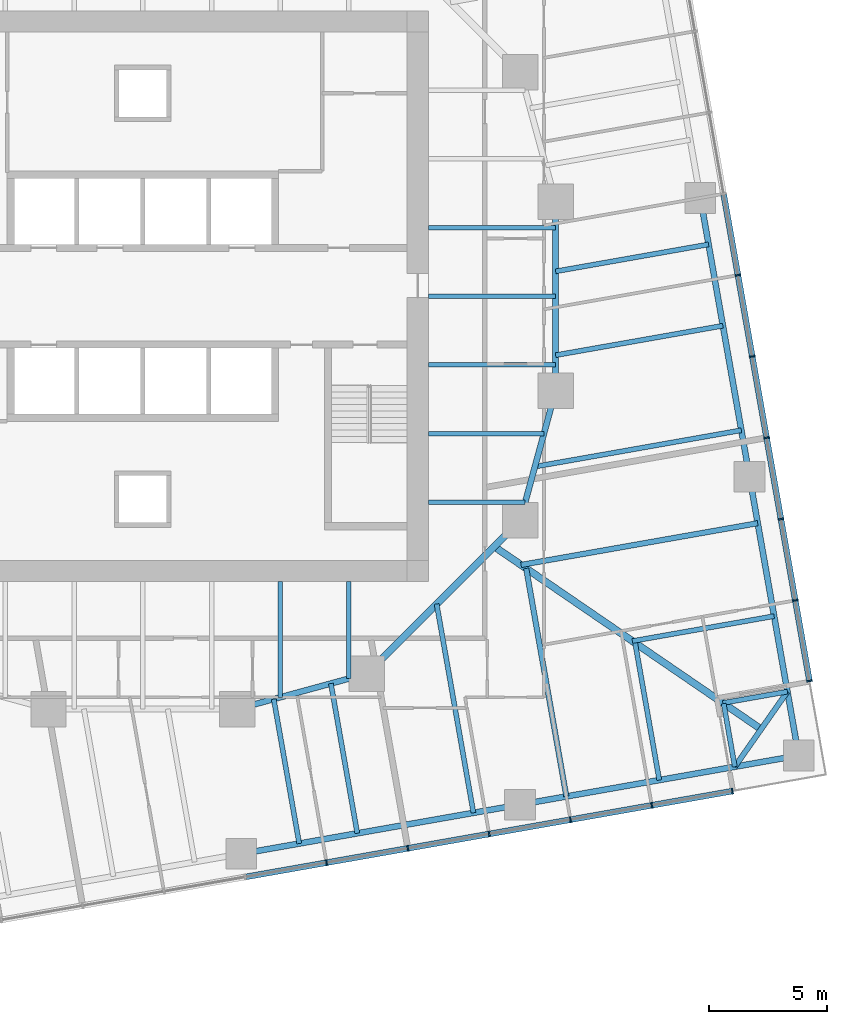
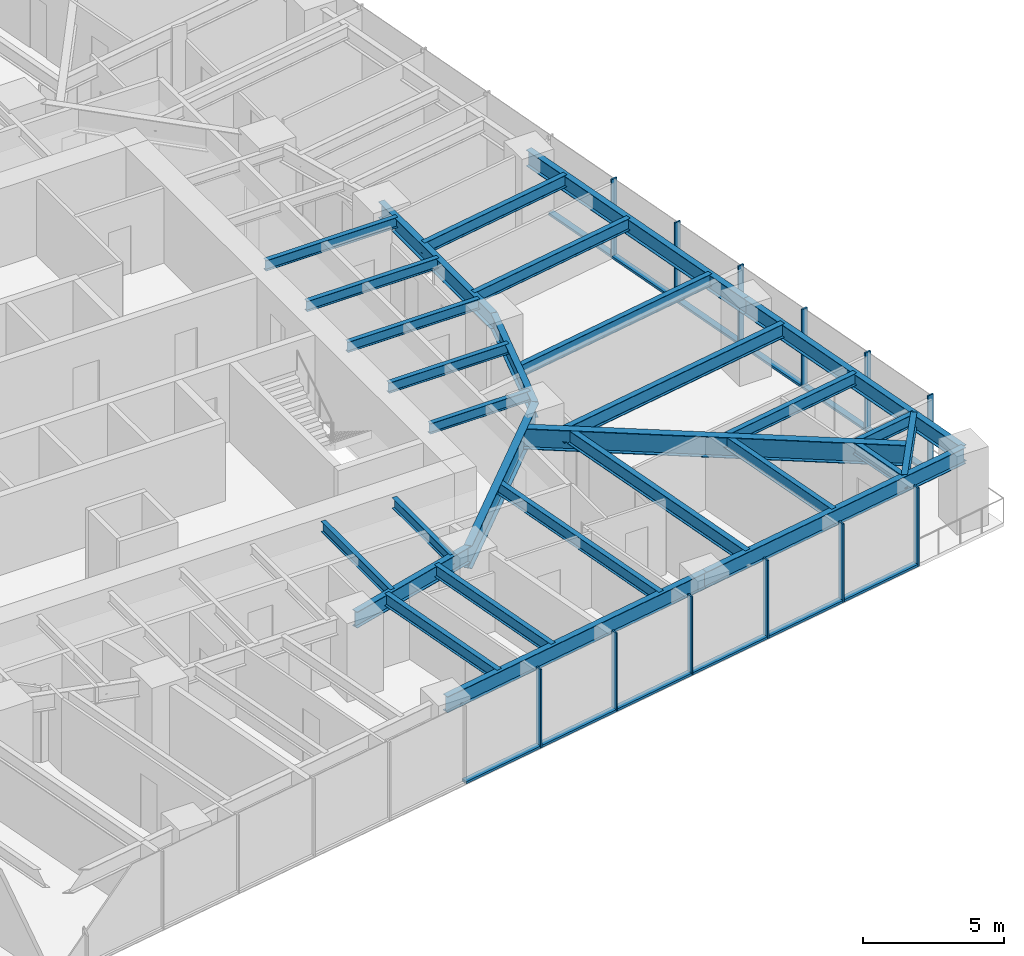
# One storey, part 4 of 14: 29 beams, 24 members, 2 elements without a shape of their own.
"""IFC4 building model written with IfcOpenShell, lengths in metres."""

from ifc_helpers import new_model, si_unit, direction, frame, origin, origin_2d, place, context, subcontext, project, spatial, rectangle, i_section, extrude, material, material_profile, profile_set, type_object, element, aggregate, save


model = new_model("IFC4")

# Units and contexts
model_context = context("Model", 3, precision=1e-05, world=origin(), true_north=direction((0.0, 1.0)))
body_context = subcontext(model_context, "Body", "Model", "MODEL_VIEW")
ifc_project = project(units=[si_unit("LENGTHUNIT", "METRE"), si_unit("AREAUNIT", "SQUARE_METRE"), si_unit("VOLUMEUNIT", "CUBIC_METRE"), si_unit("PLANEANGLEUNIT", "RADIAN"), si_unit("MASSUNIT", "GRAM", prefix="KILO")], contexts=[model_context])

# Site, building, storey
site_placement = place(None, origin())
site = spatial("IfcSite", under=ifc_project, at=site_placement, CompositionType="ELEMENT")
building_placement = place(site_placement, origin())
building = spatial("IfcBuilding", under=site, at=building_placement, Name="Torsade Residences", CompositionType="ELEMENT")
storey_placement = place(building_placement, frame((0.0, 0.0, 82.800048828125)))
storey = spatial("IfcBuildingStorey", under=building, at=storey_placement, Name="L22", CompositionType="ELEMENT", Elevation=82.800048828125)

# Beams
ifc_material_1 = material(Name="Steel grade 300", Category="steel")
ifc_material_profile_1 = material_profile(ifc_material_1, i_section(OverallWidth=0.300048828125, OverallDepth=0.89990234375, WebThickness=0.011962890625, FlangeThickness=0.02490234375, at=origin_2d()), Name="900WB175")
ifc_profile_set_1 = profile_set([ifc_material_profile_1], Name="Steel grade 300")
beam_type_1 = type_object("IfcBeamType", Name="CORNER GIRDER 900WB175", PredefinedType="BEAM", material=ifc_profile_set_1)
beam_1_placement = place(storey_placement, frame((66.2099609375, 11.6474609375, 2.800048828125), z_axis=(-0.825279313977, 0.564724759437, 0.0), x_axis=(-0.564724759437, -0.825279313977, 0.0)))
element("IfcBeam", 1, at=beam_1_placement, inside=storey, type_object=beam_type_1, Name="Corner girder 05 L23", PredefinedType="BEAM", context=body_context, shape_type="SweptSolid", body=[
    extrude(i_section(OverallWidth=0.300048828125, OverallDepth=0.89990234375, WebThickness=0.011962890625, FlangeThickness=0.02490234375, at=origin_2d()), origin(), (0.0, 0.0, 1.0), 13.7138671875),
])
ifc_material_2 = material(Name="Steel grade 300", Category="steel")
ifc_material_profile_2 = material_profile(ifc_material_2, i_section(OverallWidth=0.22802734375, OverallDepth=0.60205078125, WebThickness=0.010498046875, FlangeThickness=0.014892578125, FilletRadius=0.013916015625, at=origin_2d()), Name="610UB101")
ifc_profile_set_2 = profile_set([ifc_material_profile_2], Name="Steel grade 300")
beam_type_2 = type_object("IfcBeamType", Name="CORNER TRIMMER 610UB101", PredefinedType="BEAM", material=ifc_profile_set_2)
beam_2_placement = place(storey_placement, frame((67.325439453125, 13.240478515625, 2.948974609375), z_axis=(-0.573576092373, -0.819152285145, 0.0), x_axis=(0.819152285145, -0.573576092373, 0.0)))
element("IfcBeam", 2, at=beam_2_placement, inside=storey, type_object=beam_type_2, Name="Corner trimmer 05 L23", PredefinedType="BEAM", context=body_context, shape_type="SweptSolid", body=[
    extrude(i_section(OverallWidth=0.22802734375, OverallDepth=0.60205078125, WebThickness=0.010498046875, FlangeThickness=0.014892578125, FilletRadius=0.013916015625, at=origin_2d()), origin(), (0.0, 0.0, 1.0), 3.88916015625),
])

# Curtain wall, members
ifc_material_3 = material(Name="Aluminium and glass", Category="aluminium")
curtain_wall_type = type_object("IfcCurtainWallType", Name="FRITTED GLASS CURTAIN WALL LOW ZONE", PredefinedType="NOTDEFINED", material=ifc_material_3)
curtain_wall_1_placement = place(storey_placement, origin())
curtain_wall_1 = element("IfcCurtainWall", 3, at=curtain_wall_1_placement, inside=storey, type_object=curtain_wall_type, Name="Curtain wall L22 face 1", PredefinedType="NOTDEFINED")
ifc_material_4 = material(Name="Aluminium mullion", Category="aluminium")
ifc_material_profile_3 = material_profile(ifc_material_4, rectangle(XDim=0.25, YDim=0.06494140625, at=origin_2d()), Name="CURTAIN WALL MULLION 250x65")
ifc_profile_set_3 = profile_set([ifc_material_profile_3], Name="Aluminium mullion")
member_type_1 = type_object("IfcMemberType", Name="CURTAIN WALL MULLION 250x65", PredefinedType="MULLION", material=ifc_profile_set_3)
member_1_placement = place(storey_placement, frame((47.7880859375, 5.987548828125, 0.0), z_axis=(0.0, 0.0, 1.0), x_axis=(-0.173648192638, 0.984807750372, 0.0)))
member_1 = element("IfcMember", 4, at=member_1_placement, type_object=member_type_1, Name="Mullion 8", PredefinedType="MULLION", context=body_context, shape_type="SweptSolid", body=[
    extrude(rectangle(XDim=0.25, YDim=0.06494140625, at=origin_2d()), origin(), (0.0, 0.0, 1.0), 3.39990234375),
])
member_2_placement = place(storey_placement, frame((51.23486328125, 6.595458984375, 0.0), z_axis=(0.0, 0.0, 1.0), x_axis=(-0.173648192638, 0.984807750372, 0.0)))
member_2 = element("IfcMember", 5, at=member_2_placement, type_object=member_type_1, Name="Mullion 9", PredefinedType="MULLION", context=body_context, shape_type="SweptSolid", body=[
    extrude(rectangle(XDim=0.25, YDim=0.06494140625, at=origin_2d()), origin(), (0.0, 0.0, 1.0), 3.39990234375),
])
member_3_placement = place(storey_placement, frame((54.681640625, 7.203125, 0.0), z_axis=(0.0, 0.0, 1.0), x_axis=(-0.173648192638, 0.984807750372, 0.0)))
member_3 = element("IfcMember", 6, at=member_3_placement, type_object=member_type_1, Name="Mullion 10", PredefinedType="MULLION", context=body_context, shape_type="SweptSolid", body=[
    extrude(rectangle(XDim=0.25, YDim=0.06494140625, at=origin_2d()), origin(), (0.0, 0.0, 1.0), 3.39990234375),
])
member_4_placement = place(storey_placement, frame((58.12841796875, 7.810791015625, 0.0), z_axis=(0.0, 0.0, 1.0), x_axis=(-0.173648192638, 0.984807750372, 0.0)))
member_4 = element("IfcMember", 7, at=member_4_placement, type_object=member_type_1, Name="Mullion 11", PredefinedType="MULLION", context=body_context, shape_type="SweptSolid", body=[
    extrude(rectangle(XDim=0.25, YDim=0.06494140625, at=origin_2d()), origin(), (0.0, 0.0, 1.0), 3.39990234375),
])
member_5_placement = place(storey_placement, frame((61.575439453125, 8.418701171875, 0.0), z_axis=(0.0, 0.0, 1.0), x_axis=(-0.173648192638, 0.984807750372, 0.0)))
member_5 = element("IfcMember", 8, at=member_5_placement, type_object=member_type_1, Name="Mullion 12", PredefinedType="MULLION", context=body_context, shape_type="SweptSolid", body=[
    extrude(rectangle(XDim=0.25, YDim=0.06494140625, at=origin_2d()), origin(), (0.0, 0.0, 1.0), 3.39990234375),
])
member_6_placement = place(storey_placement, frame((64.990234375, 9.020751953125, 0.0), z_axis=(0.0, 0.0, 1.0), x_axis=(-0.173648192638, 0.984807750372, 0.0)))
member_6 = element("IfcMember", 9, at=member_6_placement, type_object=member_type_1, Name="Mullion 13", PredefinedType="MULLION", context=body_context, shape_type="SweptSolid", body=[
    extrude(rectangle(XDim=0.25, YDim=0.06494140625, at=origin_2d()), origin(), (0.0, 0.0, 1.0), 3.39990234375),
])

curtain_wall_2_placement = place(storey_placement, origin())
curtain_wall_2 = element("IfcCurtainWall", 10, at=curtain_wall_2_placement, inside=storey, type_object=curtain_wall_type, Name="Curtain wall L22 face 4", PredefinedType="NOTDEFINED")
member_7_placement = place(storey_placement, frame((68.26123046875, 13.692138671875, 0.0), z_axis=(0.0, 0.0, 1.0), x_axis=(-0.984807750372, -0.173648192638, 0.0)))
member_7 = element("IfcMember", 11, at=member_7_placement, type_object=member_type_1, Name="Mullion 1", PredefinedType="MULLION", context=body_context, shape_type="SweptSolid", body=[
    extrude(rectangle(XDim=0.25, YDim=0.06494140625, at=origin_2d()), origin(), (0.0, 0.0, 1.0), 3.39990234375),
])
member_8_placement = place(storey_placement, frame((67.658935546875, 17.107177734375, 0.0), z_axis=(0.0, 0.0, 1.0), x_axis=(-0.984807750372, -0.173648192638, 0.0)))
member_8 = element("IfcMember", 12, at=member_8_placement, type_object=member_type_1, Name="Mullion 2", PredefinedType="MULLION", context=body_context, shape_type="SweptSolid", body=[
    extrude(rectangle(XDim=0.25, YDim=0.06494140625, at=origin_2d()), origin(), (0.0, 0.0, 1.0), 3.39990234375),
])
member_9_placement = place(storey_placement, frame((67.05126953125, 20.553955078125, 0.0), z_axis=(0.0, 0.0, 1.0), x_axis=(-0.984807750372, -0.173648192638, 0.0)))
member_9 = element("IfcMember", 13, at=member_9_placement, type_object=member_type_1, Name="Mullion 3", PredefinedType="MULLION", context=body_context, shape_type="SweptSolid", body=[
    extrude(rectangle(XDim=0.25, YDim=0.06494140625, at=origin_2d()), origin(), (0.0, 0.0, 1.0), 3.39990234375),
])
member_10_placement = place(storey_placement, frame((66.443603515625, 24.000732421875, 0.0), z_axis=(0.0, 0.0, 1.0), x_axis=(-0.984807750372, -0.173648192638, 0.0)))
member_10 = element("IfcMember", 14, at=member_10_placement, type_object=member_type_1, Name="Mullion 4", PredefinedType="MULLION", context=body_context, shape_type="SweptSolid", body=[
    extrude(rectangle(XDim=0.25, YDim=0.06494140625, at=origin_2d()), origin(), (0.0, 0.0, 1.0), 3.39990234375),
])
member_11_placement = place(storey_placement, frame((65.835693359375, 27.447509765625, 0.0), z_axis=(0.0, 0.0, 1.0), x_axis=(-0.984807750372, -0.173648192638, 0.0)))
member_11 = element("IfcMember", 15, at=member_11_placement, type_object=member_type_1, Name="Mullion 5", PredefinedType="MULLION", context=body_context, shape_type="SweptSolid", body=[
    extrude(rectangle(XDim=0.25, YDim=0.06494140625, at=origin_2d()), origin(), (0.0, 0.0, 1.0), 3.39990234375),
])
member_12_placement = place(storey_placement, frame((65.22802734375, 30.894287109375, 0.0), z_axis=(0.0, 0.0, 1.0), x_axis=(-0.984807750372, -0.173648192638, 0.0)))
member_12 = element("IfcMember", 16, at=member_12_placement, type_object=member_type_1, Name="Mullion 6", PredefinedType="MULLION", context=body_context, shape_type="SweptSolid", body=[
    extrude(rectangle(XDim=0.25, YDim=0.06494140625, at=origin_2d()), origin(), (0.0, 0.0, 1.0), 3.39990234375),
])

# Member
ifc_material_5 = material(Name="Aluminium transom", Category="aluminium")
ifc_material_profile_4 = material_profile(ifc_material_5, rectangle(XDim=0.25, YDim=0.10009765625, at=origin_2d()), Name="CURTAIN WALL TRANSOM 250x100")
ifc_profile_set_4 = profile_set([ifc_material_profile_4], Name="Aluminium transom")
member_type_2 = type_object("IfcMemberType", Name="CURTAIN WALL TRANSOM 250x100", PredefinedType="USERDEFINED", material=ifc_profile_set_4)
member_13_placement = place(storey_placement, frame((44.373291015625, 5.385498046875, 0.050048828125), z_axis=(0.984810021497, 0.17363531196, 0.0), x_axis=(-0.17363531196, 0.984810021497, 0.0)))
member_13 = element("IfcMember", 17, at=member_13_placement, type_object=member_type_2, Name="Transom 7.1", ObjectType="TRANSOM", PredefinedType="USERDEFINED", context=body_context, shape_type="SweptSolid", body=[
    extrude(rectangle(XDim=0.25, YDim=0.10009765625, at=origin_2d()), origin(), (0.0, 0.0, 1.0), 3.43505859375),
])

member_14_placement = place(storey_placement, frame((47.820068359375, 5.9931640625, 0.050048828125), z_axis=(0.984810021497, 0.17363531196, 0.0), x_axis=(-0.17363531196, 0.984810021497, 0.0)))
member_14 = element("IfcMember", 18, at=member_14_placement, type_object=member_type_2, Name="Transom 8.1", ObjectType="TRANSOM", PredefinedType="USERDEFINED", context=body_context, shape_type="SweptSolid", body=[
    extrude(rectangle(XDim=0.25, YDim=0.10009765625, at=origin_2d()), origin(), (0.0, 0.0, 1.0), 3.43505859375),
])

member_15_placement = place(storey_placement, frame((51.266845703125, 6.60107421875, 0.050048828125), z_axis=(0.984810021497, 0.17363531196, 0.0), x_axis=(-0.17363531196, 0.984810021497, 0.0)))
member_15 = element("IfcMember", 19, at=member_15_placement, type_object=member_type_2, Name="Transom 9.1", ObjectType="TRANSOM", PredefinedType="USERDEFINED", context=body_context, shape_type="SweptSolid", body=[
    extrude(rectangle(XDim=0.25, YDim=0.10009765625, at=origin_2d()), origin(), (0.0, 0.0, 1.0), 3.43505859375),
])

member_16_placement = place(storey_placement, frame((54.713623046875, 7.208740234375, 0.050048828125), z_axis=(0.984810021497, 0.17363531196, 0.0), x_axis=(-0.17363531196, 0.984810021497, 0.0)))
member_16 = element("IfcMember", 20, at=member_16_placement, type_object=member_type_2, Name="Transom 10.1", ObjectType="TRANSOM", PredefinedType="USERDEFINED", context=body_context, shape_type="SweptSolid", body=[
    extrude(rectangle(XDim=0.25, YDim=0.10009765625, at=origin_2d()), origin(), (0.0, 0.0, 1.0), 3.43505859375),
])

member_17_placement = place(storey_placement, frame((58.160400390625, 7.81640625, 0.050048828125), z_axis=(0.98479786563, 0.173704242465, 0.0), x_axis=(-0.173704242465, 0.98479786563, 0.0)))
member_17 = element("IfcMember", 21, at=member_17_placement, type_object=member_type_2, Name="Transom 11.1", ObjectType="TRANSOM", PredefinedType="USERDEFINED", context=body_context, shape_type="SweptSolid", body=[
    extrude(rectangle(XDim=0.25, YDim=0.10009765625, at=origin_2d()), origin(), (0.0, 0.0, 1.0), 3.43505859375),
])

member_18_placement = place(storey_placement, frame((61.607421875, 8.42431640625, 0.050048828125), z_axis=(0.984808830466, 0.173642067011, 0.0), x_axis=(-0.173642067011, 0.984808830466, 0.0)))
member_18 = element("IfcMember", 22, at=member_18_placement, type_object=member_type_2, Name="Transom 12.1", ObjectType="TRANSOM", PredefinedType="USERDEFINED", context=body_context, shape_type="SweptSolid", body=[
    extrude(rectangle(XDim=0.25, YDim=0.10009765625, at=origin_2d()), origin(), (0.0, 0.0, 1.0), 3.402587890625),
])

aggregate(curtain_wall_1, [member_1, member_2, member_3, member_4, member_5, member_6, member_13, member_14, member_15, member_16, member_17, member_18])

member_19_placement = place(storey_placement, frame((68.255615234375, 13.724365234375, 0.050048828125), z_axis=(-0.173654337918, 0.984806666774, 0.0), x_axis=(-0.984806666774, -0.173654337918, 0.0)))
member_19 = element("IfcMember", 23, at=member_19_placement, type_object=member_type_2, Name="Transom 1.1", ObjectType="TRANSOM", PredefinedType="USERDEFINED", context=body_context, shape_type="SweptSolid", body=[
    extrude(rectangle(XDim=0.25, YDim=0.10009765625, at=origin_2d()), origin(), (0.0, 0.0, 1.0), 3.40234375),
])

member_20_placement = place(storey_placement, frame((67.6533203125, 17.13916015625, 0.050048828125), z_axis=(-0.17363531196, 0.984810021497, 0.0), x_axis=(-0.984810021497, -0.17363531196, 0.0)))
member_20 = element("IfcMember", 24, at=member_20_placement, type_object=member_type_2, Name="Transom 2.1", ObjectType="TRANSOM", PredefinedType="USERDEFINED", context=body_context, shape_type="SweptSolid", body=[
    extrude(rectangle(XDim=0.25, YDim=0.10009765625, at=origin_2d()), origin(), (0.0, 0.0, 1.0), 3.43505859375),
])

member_21_placement = place(storey_placement, frame((67.045654296875, 20.5859375, 0.050048828125), z_axis=(-0.17363531196, 0.984810021497, 0.0), x_axis=(-0.984810021497, -0.17363531196, 0.0)))
member_21 = element("IfcMember", 25, at=member_21_placement, type_object=member_type_2, Name="Transom 3.1", ObjectType="TRANSOM", PredefinedType="USERDEFINED", context=body_context, shape_type="SweptSolid", body=[
    extrude(rectangle(XDim=0.25, YDim=0.10009765625, at=origin_2d()), origin(), (0.0, 0.0, 1.0), 3.43505859375),
])

member_22_placement = place(storey_placement, frame((66.437744140625, 24.03271484375, 0.050048828125), z_axis=(-0.17363531196, 0.984810021497, 0.0), x_axis=(-0.984810021497, -0.17363531196, 0.0)))
member_22 = element("IfcMember", 26, at=member_22_placement, type_object=member_type_2, Name="Transom 4.1", ObjectType="TRANSOM", PredefinedType="USERDEFINED", context=body_context, shape_type="SweptSolid", body=[
    extrude(rectangle(XDim=0.25, YDim=0.10009765625, at=origin_2d()), origin(), (0.0, 0.0, 1.0), 3.43505859375),
])

member_23_placement = place(storey_placement, frame((65.830078125, 27.4794921875, 0.050048828125), z_axis=(-0.17363531196, 0.984810021497, 0.0), x_axis=(-0.984810021497, -0.17363531196, 0.0)))
member_23 = element("IfcMember", 27, at=member_23_placement, type_object=member_type_2, Name="Transom 5.1", ObjectType="TRANSOM", PredefinedType="USERDEFINED", context=body_context, shape_type="SweptSolid", body=[
    extrude(rectangle(XDim=0.25, YDim=0.10009765625, at=origin_2d()), origin(), (0.0, 0.0, 1.0), 3.43505859375),
])

member_24_placement = place(storey_placement, frame((65.222412109375, 30.92626953125, 0.050048828125), z_axis=(-0.173704242465, 0.98479786563, 0.0), x_axis=(-0.98479786563, -0.173704242465, 0.0)))
member_24 = element("IfcMember", 28, at=member_24_placement, type_object=member_type_2, Name="Transom 6.1", ObjectType="TRANSOM", PredefinedType="USERDEFINED", context=body_context, shape_type="SweptSolid", body=[
    extrude(rectangle(XDim=0.25, YDim=0.10009765625, at=origin_2d()), origin(), (0.0, 0.0, 1.0), 3.43505859375),
])

aggregate(curtain_wall_2, [member_7, member_8, member_9, member_10, member_11, member_12, member_19, member_20, member_21, member_22, member_23, member_24])

# Beams
ifc_material_6 = material(Name="Steel grade 300", Category="steel")
ifc_material_profile_5 = material_profile(ifc_material_6, i_section(OverallWidth=0.25, OverallDepth=0.699951171875, WebThickness=0.010009765625, FlangeThickness=0.02001953125, at=origin_2d()), Name="700WB130")
ifc_profile_set_5 = profile_set([ifc_material_profile_5], Name="Steel grade 300")
beam_type_3 = type_object("IfcBeamType", Name="EDGE BEAM 700WB130", PredefinedType="SPANDREL", material=ifc_profile_set_5)
beam_3_placement = place(storey_placement, frame((44.16748046875, 6.364501953125, 2.89990234375), z_axis=(0.984805261243, 0.173662308598, 0.0), x_axis=(-0.173662308598, 0.984805261243, 0.0)))
element("IfcBeam", 29, at=beam_3_placement, inside=storey, type_object=beam_type_3, Name="Edge beam 03 L23", PredefinedType="SPANDREL", context=body_context, shape_type="SweptSolid", body=[
    extrude(i_section(OverallWidth=0.25, OverallDepth=0.699951171875, WebThickness=0.010009765625, FlangeThickness=0.02001953125, at=origin_2d()), origin(), (0.0, 0.0, 1.0), 12.000244140625),
])
for number, where, z_axis, x_axis, name in (
    (30, (55.9853515625, 8.448486328125, 2.89990234375), (0.984808127031, 0.173646056486, 0.0), (-0.173646056486, 0.984808127031, 0.0), "Edge beam 04 L23"),
    (31, (67.802978515625, 10.5322265625, 2.89990234375), (-0.173646056486, 0.984808127031, 0.0), (-0.984808127031, -0.173646056486, 0.0), "Edge beam 05 L23"),
    (32, (65.71923828125, 22.349853515625, 2.89990234375), (-0.173646056486, 0.984808127031, 0.0), (-0.984808127031, -0.173646056486, 0.0), "Edge beam 06 L23"),
):
    element("IfcBeam", number, at=place(storey_placement, frame(where, z_axis=z_axis, x_axis=x_axis)), inside=storey, type_object=beam_type_3, Name=name, PredefinedType="SPANDREL", context=body_context, shape_type="SweptSolid", body=[
        extrude(i_section(OverallWidth=0.25, OverallDepth=0.699951171875, WebThickness=0.010009765625, FlangeThickness=0.02001953125, at=origin_2d()), origin(), (0.0, 0.0, 1.0), 12.0),
    ])
ifc_material_7 = material(Name="Steel grade 300", Category="steel")
ifc_material_profile_6 = material_profile(ifc_material_7, i_section(OverallWidth=0.18994140625, OverallDepth=0.4541015625, WebThickness=0.008544921875, FlangeThickness=0.0126953125, FilletRadius=0.011474609375, at=origin_2d()), Name="460UB67.1")
ifc_profile_set_6 = profile_set([ifc_material_profile_6], Name="Steel grade 300")
beam_type_4 = type_object("IfcBeamType", Name="INNER FLOOR BEAM 460UB67.1", PredefinedType="JOIST", material=ifc_profile_set_6)
beam_4_placement = place(storey_placement, frame((48.737548828125, 17.89990234375, 3.02294921875), z_axis=(0.0, -1.0, 0.0), x_axis=(1.0, 0.0, 0.0)))
element("IfcBeam", 33, at=beam_4_placement, inside=storey, type_object=beam_type_4, Name="Inner floor beam IS01 L23", PredefinedType="JOIST", context=body_context, shape_type="SweptSolid", body=[
    extrude(i_section(OverallWidth=0.18994140625, OverallDepth=0.4541015625, WebThickness=0.008544921875, FlangeThickness=0.0126953125, FilletRadius=0.011474609375, at=origin_2d()), origin(), (0.0, 0.0, 1.0), 4.10791015625),
])
beam_5_placement = place(storey_placement, frame((45.824951171875, 17.89990234375, 3.02294921875), z_axis=(0.0, -1.0, 0.0), x_axis=(1.0, 0.0, 0.0)))
element("IfcBeam", 34, at=beam_5_placement, inside=storey, type_object=beam_type_4, Name="Inner floor beam IS02 L23", PredefinedType="JOIST", context=body_context, shape_type="SweptSolid", body=[
    extrude(i_section(OverallWidth=0.18994140625, OverallDepth=0.4541015625, WebThickness=0.008544921875, FlangeThickness=0.0126953125, FilletRadius=0.011474609375, at=origin_2d()), origin(), (0.0, 0.0, 1.0), 4.902099609375),
])
beam_6_placement = place(storey_placement, frame((52.10009765625, 21.262451171875, 3.02294921875), z_axis=(1.0, 0.0, 0.0), x_axis=(0.0, 1.0, 0.0)))
element("IfcBeam", 35, at=beam_6_placement, inside=storey, type_object=beam_type_4, Name="Inner floor beam IE01 L23", PredefinedType="JOIST", context=body_context, shape_type="SweptSolid", body=[
    extrude(i_section(OverallWidth=0.18994140625, OverallDepth=0.4541015625, WebThickness=0.008544921875, FlangeThickness=0.0126953125, FilletRadius=0.011474609375, at=origin_2d()), origin(), (0.0, 0.0, 1.0), 4.10791015625),
])
beam_7_placement = place(storey_placement, frame((52.10009765625, 24.175048828125, 3.02294921875), z_axis=(1.0, 0.0, 0.0), x_axis=(0.0, 1.0, 0.0)))
element("IfcBeam", 36, at=beam_7_placement, inside=storey, type_object=beam_type_4, Name="Inner floor beam IE02 L23", PredefinedType="JOIST", context=body_context, shape_type="SweptSolid", body=[
    extrude(i_section(OverallWidth=0.18994140625, OverallDepth=0.4541015625, WebThickness=0.008544921875, FlangeThickness=0.0126953125, FilletRadius=0.011474609375, at=origin_2d()), origin(), (0.0, 0.0, 1.0), 4.902099609375),
])
for number, where, z_axis, x_axis, name in (
    (37, (52.10009765625, 27.08740234375, 3.02294921875), (1.0, 0.0, 0.0), (0.0, 1.0, 0.0), "Inner floor beam IE03 L23"),
    (38, (52.10009765625, 30.0, 3.02294921875), (1.0, 0.0, 0.0), (0.0, 1.0, 0.0), "Inner floor beam IE04 L23"),
    (39, (52.10009765625, 32.91259765625, 3.02294921875), (1.0, 0.0, 0.0), (0.0, 1.0, 0.0), "Inner floor beam IE05 L23"),
):
    element("IfcBeam", number, at=place(storey_placement, frame(where, z_axis=z_axis, x_axis=x_axis)), inside=storey, type_object=beam_type_4, Name=name, PredefinedType="JOIST", context=body_context, shape_type="SweptSolid", body=[
        extrude(i_section(OverallWidth=0.18994140625, OverallDepth=0.4541015625, WebThickness=0.008544921875, FlangeThickness=0.0126953125, FilletRadius=0.011474609375, at=origin_2d()), origin(), (0.0, 0.0, 1.0), 5.39990234375),
    ])
ifc_material_8 = material(Name="Steel grade 300", Category="steel")
ifc_material_profile_7 = material_profile(ifc_material_8, i_section(OverallWidth=0.300048828125, OverallDepth=1.0, WebThickness=0.01611328125, FlangeThickness=0.028076171875, at=origin_2d()), Name="1000WB215")
ifc_profile_set_7 = profile_set([ifc_material_profile_7], Name="Steel grade 300")
beam_type_5 = type_object("IfcBeamType", Name="RING CORNER GIRDER 1000WB215", PredefinedType="BEAM", material=ifc_profile_set_7)
beam_8_placement = place(storey_placement, frame((49.5, 14.0, 2.75), z_axis=(0.707106781187, 0.707106781187, 0.0), x_axis=(-0.707106781187, 0.707106781187, 0.0)))
element("IfcBeam", 40, at=beam_8_placement, inside=storey, type_object=beam_type_5, Name="Ring girder IR15 L23", PredefinedType="BEAM", context=body_context, shape_type="SweptSolid", body=[
    extrude(i_section(OverallWidth=0.300048828125, OverallDepth=1.0, WebThickness=0.01611328125, FlangeThickness=0.028076171875, at=origin_2d()), origin(), (0.0, 0.0, 1.0), 9.1923828125),
])
ifc_material_9 = material(Name="Steel grade 300", Category="steel")
ifc_material_profile_8 = material_profile(ifc_material_9, i_section(OverallWidth=0.25, OverallDepth=0.699951171875, WebThickness=0.010009765625, FlangeThickness=0.02001953125, at=origin_2d()), Name="700WB130")
ifc_profile_set_8 = profile_set([ifc_material_profile_8], Name="Steel grade 300")
beam_type_6 = type_object("IfcBeamType", Name="RING GIRDER 700WB130", PredefinedType="BEAM", material=ifc_profile_set_8)
beam_9_placement = place(storey_placement, frame((57.5, 26.0, 2.89990234375), z_axis=(0.0, 1.0, 0.0), x_axis=(-1.0, 0.0, 0.0)))
element("IfcBeam", 41, at=beam_9_placement, inside=storey, type_object=beam_type_6, Name="Ring girder IR01 L23", PredefinedType="BEAM", context=body_context, shape_type="SweptSolid", body=[
    extrude(i_section(OverallWidth=0.25, OverallDepth=0.699951171875, WebThickness=0.010009765625, FlangeThickness=0.02001953125, at=origin_2d()), origin(), (0.0, 0.0, 1.0), 8.0),
])
for number, where, z_axis, x_axis, name in (
    (42, (44.0, 12.5, 2.89990234375), (0.964763821238, 0.263117405792, 0.0), (-0.263117405792, 0.964763821238, 0.0), "Ring girder IR14 L23"),
    (43, (56.0, 20.5, 2.89990234375), (0.263117405792, 0.964763821238, 0.0), (-0.964763821238, 0.263117405792, 0.0), "Ring girder IR16 L23"),
):
    element("IfcBeam", number, at=place(storey_placement, frame(where, z_axis=z_axis, x_axis=x_axis)), inside=storey, type_object=beam_type_6, Name=name, PredefinedType="BEAM", context=body_context, shape_type="SweptSolid", body=[
        extrude(i_section(OverallWidth=0.25, OverallDepth=0.699951171875, WebThickness=0.010009765625, FlangeThickness=0.02001953125, at=origin_2d()), origin(), (0.0, 0.0, 1.0), 5.700927734375),
    ])
ifc_material_10 = material(Name="Steel grade 300", Category="steel")
ifc_material_profile_9 = material_profile(ifc_material_10, i_section(OverallWidth=0.208984375, OverallDepth=0.528076171875, WebThickness=0.009521484375, FlangeThickness=0.01318359375, FilletRadius=0.013916015625, at=origin_2d()), Name="530UB82.0")
ifc_profile_set_9 = profile_set([ifc_material_profile_9], Name="Steel grade 300")
beam_type_7 = type_object("IfcBeamType", Name="SECONDARY BEAM 530UB82.0", PredefinedType="JOIST", material=ifc_profile_set_9)
beam_10_placement = place(storey_placement, frame((46.629638671875, 6.798828125, 2.98583984375), z_axis=(-0.173655425542, 0.984806474989, 0.0), x_axis=(-0.984806474989, -0.173655425542, 0.0)))
element("IfcBeam", 44, at=beam_10_placement, inside=storey, type_object=beam_type_7, Name="Floor beam FS07 L23", PredefinedType="JOIST", context=body_context, shape_type="SweptSolid", body=[
    extrude(i_section(OverallWidth=0.208984375, OverallDepth=0.528076171875, WebThickness=0.009521484375, FlangeThickness=0.01318359375, FilletRadius=0.013916015625, at=origin_2d()), origin(), (0.0, 0.0, 1.0), 6.21826171875),
])
beam_11_placement = place(storey_placement, frame((49.091552734375, 7.23291015625, 2.98583984375), z_axis=(-0.17363198078, 0.984810608823, 0.0), x_axis=(-0.984810608823, -0.17363198078, 0.0)))
element("IfcBeam", 45, at=beam_11_placement, inside=storey, type_object=beam_type_7, Name="Floor beam FS08 L23", PredefinedType="JOIST", context=body_context, shape_type="SweptSolid", body=[
    extrude(i_section(OverallWidth=0.208984375, OverallDepth=0.528076171875, WebThickness=0.009521484375, FlangeThickness=0.01318359375, FilletRadius=0.013916015625, at=origin_2d()), origin(), (0.0, 0.0, 1.0), 6.4482421875),
])
beam_12_placement = place(storey_placement, frame((54.015625, 8.10107421875, 2.98583984375), z_axis=(-0.173639706679, 0.984809246638, 0.0), x_axis=(-0.984809246638, -0.173639706679, 0.0)))
element("IfcBeam", 46, at=beam_12_placement, inside=storey, type_object=beam_type_7, Name="Floor beam FS09 L23", PredefinedType="JOIST", context=body_context, shape_type="SweptSolid", body=[
    extrude(i_section(OverallWidth=0.208984375, OverallDepth=0.528076171875, WebThickness=0.009521484375, FlangeThickness=0.01318359375, FilletRadius=0.013916015625, at=origin_2d()), origin(), (0.0, 0.0, 1.0), 8.989990234375),
])
beam_13_placement = place(storey_placement, frame((61.89404296875, 9.490234375, 2.98583984375), z_axis=(-0.173629569808, 0.984811033899, 0.0), x_axis=(-0.984811033899, -0.173629569808, 0.0)))
element("IfcBeam", 47, at=beam_13_placement, inside=storey, type_object=beam_type_7, Name="Floor beam FS11 L23", PredefinedType="JOIST", context=body_context, shape_type="SweptSolid", body=[
    extrude(i_section(OverallWidth=0.208984375, OverallDepth=0.528076171875, WebThickness=0.009521484375, FlangeThickness=0.01318359375, FilletRadius=0.013916015625, at=origin_2d()), origin(), (0.0, 0.0, 1.0), 5.9013671875),
])
beam_14_placement = place(storey_placement, frame((65.0947265625, 10.0546875, 2.98583984375), z_axis=(-0.17364710834, 0.984807941563, 0.0), x_axis=(-0.984807941563, -0.17364710834, 0.0)))
element("IfcBeam", 48, at=beam_14_placement, inside=storey, type_object=beam_type_7, Name="Floor beam FS12 L23", PredefinedType="JOIST", context=body_context, shape_type="SweptSolid", body=[
    extrude(i_section(OverallWidth=0.208984375, OverallDepth=0.528076171875, WebThickness=0.009521484375, FlangeThickness=0.01318359375, FilletRadius=0.013916015625, at=origin_2d()), origin(), (0.0, 0.0, 1.0), 2.720458984375),
])
beam_15_placement = place(storey_placement, frame((67.325439453125, 13.240478515625, 2.98583984375), z_axis=(-0.984797700832, -0.173705176765, 0.0), x_axis=(0.173705176765, -0.984797700832, 0.0)))
element("IfcBeam", 49, at=beam_15_placement, inside=storey, type_object=beam_type_7, Name="Floor beam FE01 L23", PredefinedType="JOIST", context=body_context, shape_type="SweptSolid", body=[
    extrude(i_section(OverallWidth=0.208984375, OverallDepth=0.528076171875, WebThickness=0.009521484375, FlangeThickness=0.01318359375, FilletRadius=0.013916015625, at=origin_2d()), origin(), (0.0, 0.0, 1.0), 2.780029296875),
])
beam_16_placement = place(storey_placement, frame((66.760986328125, 16.44091796875, 2.98583984375), z_axis=(-0.984809331556, -0.173639225065, 0.0), x_axis=(0.173639225065, -0.984809331556, 0.0)))
element("IfcBeam", 50, at=beam_16_placement, inside=storey, type_object=beam_type_7, Name="Floor beam FE02 L23", PredefinedType="JOIST", context=body_context, shape_type="SweptSolid", body=[
    extrude(i_section(OverallWidth=0.208984375, OverallDepth=0.528076171875, WebThickness=0.009521484375, FlangeThickness=0.01318359375, FilletRadius=0.013916015625, at=origin_2d()), origin(), (0.0, 0.0, 1.0), 6.100830078125),
])
beam_17_placement = place(storey_placement, frame((65.371826171875, 24.319580078125, 2.98583984375), z_axis=(-0.984804296147, -0.173667781384, 0.0), x_axis=(0.173667781384, -0.984804296147, 0.0)))
element("IfcBeam", 51, at=beam_17_placement, inside=storey, type_object=beam_type_7, Name="Floor beam FE04 L23", PredefinedType="JOIST", context=body_context, shape_type="SweptSolid", body=[
    extrude(i_section(OverallWidth=0.208984375, OverallDepth=0.528076171875, WebThickness=0.009521484375, FlangeThickness=0.01318359375, FilletRadius=0.013916015625, at=origin_2d()), origin(), (0.0, 0.0, 1.0), 8.885986328125),
])
beam_18_placement = place(storey_placement, frame((64.59033203125, 28.751220703125, 2.98583984375), z_axis=(-0.984807104535, -0.173651855324, 0.0), x_axis=(0.173651855324, -0.984807104535, 0.0)))
element("IfcBeam", 52, at=beam_18_placement, inside=storey, type_object=beam_type_7, Name="Floor beam FE05 L23", PredefinedType="JOIST", context=body_context, shape_type="SweptSolid", body=[
    extrude(i_section(OverallWidth=0.208984375, OverallDepth=0.528076171875, WebThickness=0.009521484375, FlangeThickness=0.01318359375, FilletRadius=0.013916015625, at=origin_2d()), origin(), (0.0, 0.0, 1.0), 7.19970703125),
])
beam_19_placement = place(storey_placement, frame((63.982666015625, 32.197998046875, 2.98583984375), z_axis=(-0.984807818459, -0.173647806501, 0.0), x_axis=(0.173647806501, -0.984807818459, 0.0)))
element("IfcBeam", 53, at=beam_19_placement, inside=storey, type_object=beam_type_7, Name="Floor beam FE06 L23", PredefinedType="JOIST", context=body_context, shape_type="SweptSolid", body=[
    extrude(i_section(OverallWidth=0.208984375, OverallDepth=0.528076171875, WebThickness=0.009521484375, FlangeThickness=0.01318359375, FilletRadius=0.013916015625, at=origin_2d()), origin(), (0.0, 0.0, 1.0), 6.582763671875),
])
ifc_material_11 = material(Name="Steel grade 300", Category="steel")
ifc_material_profile_10 = material_profile(ifc_material_11, i_section(OverallWidth=0.22900390625, OverallDepth=0.612060546875, WebThickness=0.011962890625, FlangeThickness=0.01953125, FilletRadius=0.013916015625, at=origin_2d()), Name="610UB125")
ifc_profile_set_10 = profile_set([ifc_material_profile_10], Name="Steel grade 300")
beam_type_8 = type_object("IfcBeamType", Name="SECONDARY BEAM 610UB125", PredefinedType="JOIST", material=ifc_profile_set_10)
beam_20_placement = place(storey_placement, frame((57.954833984375, 8.795654296875, 2.94384765625), z_axis=(-0.173651961637, 0.984807085789, 0.0), x_axis=(-0.984807085789, -0.173651961637, 0.0)))
element("IfcBeam", 54, at=beam_20_placement, inside=storey, type_object=beam_type_8, Name="Floor beam FS10 L23", PredefinedType="JOIST", context=body_context, shape_type="SweptSolid", body=[
    extrude(i_section(OverallWidth=0.22900390625, OverallDepth=0.612060546875, WebThickness=0.011962890625, FlangeThickness=0.01953125, FilletRadius=0.013916015625, at=origin_2d()), origin(), (0.0, 0.0, 1.0), 9.816162109375),
])
beam_21_placement = place(storey_placement, frame((66.06640625, 20.380126953125, 2.94384765625), z_axis=(-0.984808397525, -0.173644522411, 0.0), x_axis=(0.173644522411, -0.984808397525, 0.0)))
element("IfcBeam", 55, at=beam_21_placement, inside=storey, type_object=beam_type_8, Name="Floor beam FE03 L23", PredefinedType="JOIST", context=body_context, shape_type="SweptSolid", body=[
    extrude(i_section(OverallWidth=0.22900390625, OverallDepth=0.612060546875, WebThickness=0.011962890625, FlangeThickness=0.01953125, FilletRadius=0.013916015625, at=origin_2d()), origin(), (0.0, 0.0, 1.0), 10.187744140625),
])

save(model, "model.ifc")
